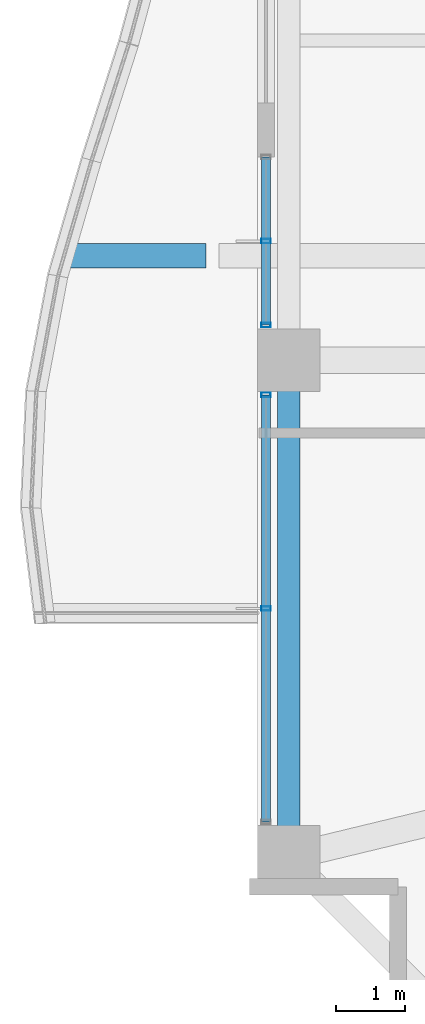
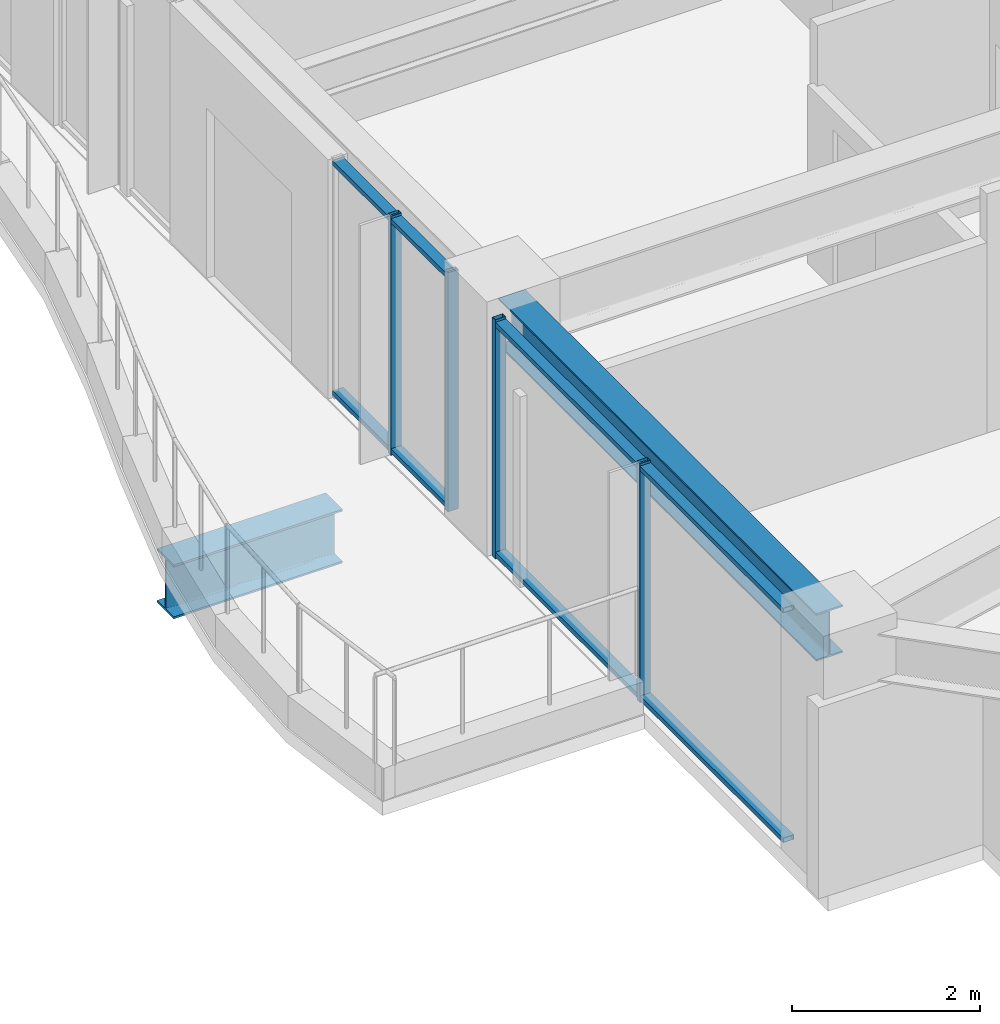
# One storey, part 4 of 33: 8 members, 2 beams, 2 elements without a shape of their own.
"""IFC4 building model written with IfcOpenShell, lengths in metres."""

from ifc_helpers import new_model, si_unit, direction, frame, origin, origin_2d, place, context, subcontext, project, spatial, hollow_rectangle, i_section, extrude, material, material_profile, profile_set, type_object, element, aggregate, save


model = new_model("IFC4")

# Units and contexts
model_context = context("Model", 3, precision=1e-05, world=origin(), true_north=direction((0.0, 1.0)))
body_context = subcontext(model_context, "Body", "Model", "MODEL_VIEW")
ifc_project = project(units=[si_unit("LENGTHUNIT", "METRE"), si_unit("AREAUNIT", "SQUARE_METRE"), si_unit("VOLUMEUNIT", "CUBIC_METRE"), si_unit("PLANEANGLEUNIT", "RADIAN"), si_unit("MASSUNIT", "GRAM", prefix="KILO")], contexts=[model_context])

# Site, building, storey
site_placement = place(None, origin())
site = spatial("IfcSite", under=ifc_project, at=site_placement, CompositionType="ELEMENT")
building_placement = place(site_placement, origin())
building = spatial("IfcBuilding", under=site, at=building_placement, Name="Kolvaren Belvedere", CompositionType="ELEMENT")
storey_placement = place(building_placement, frame((0.0, 0.0, 128.300048828125)))
storey = spatial("IfcBuildingStorey", under=building, at=storey_placement, Name="L37", CompositionType="ELEMENT", Elevation=128.300048828125)

# Beams
ifc_material_1 = material(Name="Structural steel ASTM A992 Grade 50", Category="steel")
ifc_material_profile_1 = material_profile(ifc_material_1, i_section(OverallWidth=0.35498046875, OverallDepth=0.696044921875, WebThickness=0.015380859375, FlangeThickness=0.02490234375, FilletRadius=0.02197265625, at=origin_2d()), Name="W27X146")
ifc_profile_set_1 = profile_set([ifc_material_profile_1], Name="Structural steel ASTM A992 Grade 50")
beam_type_1 = type_object("IfcBeamType", Name="BM-CANT-BAL", PredefinedType="BEAM", material=ifc_profile_set_1)
beam_1_placement = place(storey_placement, frame((-18.7451171875, -3.10009765625, -0.548095703125), z_axis=(-1.0, 0.0, 0.0), x_axis=(0.0, -1.0, 0.0)))
element("IfcBeam", 1, at=beam_1_placement, inside=storey, type_object=beam_type_1, Name="L37 Planted Balcony Cantilever BAL-W-1", PredefinedType="BEAM", context=body_context, shape_type="SweptSolid", body=[
    extrude(i_section(OverallWidth=0.35498046875, OverallDepth=0.696044921875, WebThickness=0.015380859375, FlangeThickness=0.02490234375, FilletRadius=0.02197265625, at=origin_2d()), origin(), (0.0, 0.0, 1.0), 2.068115234375),
])
ifc_material_2 = material(Name="Structural steel ASTM A992 Grade 50", Category="steel")
ifc_material_profile_2 = material_profile(ifc_material_2, i_section(OverallWidth=0.324951171875, OverallDepth=0.615966796875, WebThickness=0.013916015625, FlangeThickness=0.021484375, FilletRadius=0.02001953125, at=origin_2d()), Name="W24X117")
ifc_profile_set_2 = profile_set([ifc_material_profile_2], Name="Structural steel ASTM A992 Grade 50")
beam_type_2 = type_object("IfcBeamType", Name="BM-SPAN-W24X117", PredefinedType="SPANDREL", material=ifc_profile_set_2)
beam_2_placement = place(storey_placement, frame((-17.550048828125, -4.802490234375, 2.7919921875), z_axis=(0.0, -1.0, 0.0), x_axis=(1.0, 0.0, 0.0)))
element("IfcBeam", 2, at=beam_2_placement, inside=storey, type_object=beam_type_2, Name="L37 Perimeter Spandrel W2-W1", PredefinedType="SPANDREL", context=body_context, shape_type="SweptSolid", body=[
    extrude(i_section(OverallWidth=0.324951171875, OverallDepth=0.615966796875, WebThickness=0.013916015625, FlangeThickness=0.021484375, FilletRadius=0.02001953125, at=origin_2d()), origin(), (0.0, 0.0, 1.0), 6.7451171875),
])

# Curtain wall, members
ifc_material_3 = material(Name="Anodised pale-metal aluminium AA 6063-T6", Category="aluminium")
curtain_wall_type = type_object("IfcCurtainWallType", Name="CW-Z3-WAIST", PredefinedType="NOTDEFINED", material=ifc_material_3)
curtain_wall_1_placement = place(storey_placement, origin())
curtain_wall_1 = element("IfcCurtainWall", 3, at=curtain_wall_1_placement, inside=storey, type_object=curtain_wall_type, Name="L37 Unitised Curtain Wall FCW-L37-W1-B1", PredefinedType="NOTDEFINED")
ifc_material_4 = material(Name="Anodised pale-metal aluminium AA 6063-T6", Category="aluminium")
ifc_material_profile_3 = material_profile(ifc_material_4, hollow_rectangle(XDim=0.06494140625, YDim=0.1298828125, WallThickness=0.00390625, at=origin_2d()), Name="ALU-MUL-130X65")
ifc_profile_set_3 = profile_set([ifc_material_profile_3], Name="Anodised pale-metal aluminium AA 6063-T6")
member_type_1 = type_object("IfcMemberType", Name="CW-MUL-130", PredefinedType="MULLION", material=ifc_profile_set_3)
member_1_placement = place(storey_placement, frame((-17.8798828125, -8.175048828125, 0.0), z_axis=(0.0, 0.0, 1.0), x_axis=(0.0, 1.0, 0.0)))
member_1 = element("IfcMember", 4, at=member_1_placement, type_object=member_type_1, Name="FCW-L37-W1-B1 Unitised Mullion 2", PredefinedType="MULLION", context=body_context, shape_type="SweptSolid", body=[
    extrude(hollow_rectangle(XDim=0.06494140625, YDim=0.1298828125, WallThickness=0.00390625, at=origin_2d()), origin(), (0.0, 0.0, 1.0), 3.099853515625),
])
member_2_placement = place(storey_placement, frame((-17.8798828125, -5.1025390625, 0.0), z_axis=(0.0, 0.0, 1.0), x_axis=(0.0, 1.0, 0.0)))
member_2 = element("IfcMember", 5, at=member_2_placement, type_object=member_type_1, Name="FCW-L37-W1-B1 Unitised Mullion 3", PredefinedType="MULLION", context=body_context, shape_type="SweptSolid", body=[
    extrude(hollow_rectangle(XDim=0.06494140625, YDim=0.1298828125, WallThickness=0.00390625, at=origin_2d()), origin(), (0.0, 0.0, 1.0), 3.099853515625),
])

curtain_wall_2_placement = place(storey_placement, origin())
curtain_wall_2 = element("IfcCurtainWall", 6, at=curtain_wall_2_placement, inside=storey, type_object=curtain_wall_type, Name="L37 Unitised Curtain Wall FCW-L37-W1-B2", PredefinedType="NOTDEFINED")
member_3_placement = place(storey_placement, frame((-17.8798828125, -4.097412109375, 0.0), z_axis=(0.0, 0.0, 1.0), x_axis=(0.0, 1.0, 0.0)))
member_3 = element("IfcMember", 7, at=member_3_placement, type_object=member_type_1, Name="FCW-L37-W1-B2 Unitised Mullion 1", PredefinedType="MULLION", context=body_context, shape_type="SweptSolid", body=[
    extrude(hollow_rectangle(XDim=0.06494140625, YDim=0.1298828125, WallThickness=0.00390625, at=origin_2d()), origin(), (0.0, 0.0, 1.0), 3.099853515625),
])
member_4_placement = place(storey_placement, frame((-17.8798828125, -2.888671875, 0.0), z_axis=(0.0, 0.0, 1.0), x_axis=(0.0, 1.0, 0.0)))
member_4 = element("IfcMember", 8, at=member_4_placement, type_object=member_type_1, Name="FCW-L37-W1-B2 Unitised Mullion 2", PredefinedType="MULLION", context=body_context, shape_type="SweptSolid", body=[
    extrude(hollow_rectangle(XDim=0.06494140625, YDim=0.1298828125, WallThickness=0.00390625, at=origin_2d()), origin(), (0.0, 0.0, 1.0), 3.099853515625),
])

# Member
ifc_material_5 = material(Name="Anodised pale-metal aluminium AA 6063-T6", Category="aluminium")
ifc_material_profile_4 = material_profile(ifc_material_5, hollow_rectangle(XDim=0.06005859375, YDim=0.1298828125, WallThickness=0.00390625, at=origin_2d()), Name="ALU-TRN-130X60")
ifc_profile_set_4 = profile_set([ifc_material_profile_4], Name="Anodised pale-metal aluminium AA 6063-T6")
member_type_2 = type_object("IfcMemberType", Name="CW-TRN-130", PredefinedType="USERDEFINED", material=ifc_profile_set_4)
member_5_placement = place(storey_placement, frame((-17.8798828125, -11.24755859375, 0.06005859375), z_axis=(0.0, 1.0, 0.0), x_axis=(0.0, 0.0, 1.0)))
member_5 = element("IfcMember", 9, at=member_5_placement, type_object=member_type_2, Name="FCW-L37-W1-B1 Sill Transom", ObjectType="TRANSOM", PredefinedType="USERDEFINED", context=body_context, shape_type="SweptSolid", body=[
    extrude(hollow_rectangle(XDim=0.06005859375, YDim=0.1298828125, WallThickness=0.00390625, at=origin_2d()), origin(), (0.0, 0.0, 1.0), 6.14501953125),
])

member_6_placement = place(storey_placement, frame((-17.8798828125, -11.24755859375, 3.0400390625), z_axis=(0.0, 1.0, 0.0), x_axis=(0.0, 0.0, 1.0)))
member_6 = element("IfcMember", 10, at=member_6_placement, type_object=member_type_2, Name="FCW-L37-W1-B1 Head Transom", ObjectType="TRANSOM", PredefinedType="USERDEFINED", context=body_context, shape_type="SweptSolid", body=[
    extrude(hollow_rectangle(XDim=0.06005859375, YDim=0.1298828125, WallThickness=0.00390625, at=origin_2d()), origin(), (0.0, 0.0, 1.0), 6.14501953125),
])

aggregate(curtain_wall_1, [member_1, member_2, member_5, member_6])

member_7_placement = place(storey_placement, frame((-17.8798828125, -4.097412109375, 0.06005859375), z_axis=(0.0, 1.0, 0.0), x_axis=(0.0, 0.0, 1.0)))
member_7 = element("IfcMember", 11, at=member_7_placement, type_object=member_type_2, Name="FCW-L37-W1-B2 Sill Transom", ObjectType="TRANSOM", PredefinedType="USERDEFINED", context=body_context, shape_type="SweptSolid", body=[
    extrude(hollow_rectangle(XDim=0.06005859375, YDim=0.1298828125, WallThickness=0.00390625, at=origin_2d()), origin(), (0.0, 0.0, 1.0), 2.41748046875),
])

member_8_placement = place(storey_placement, frame((-17.8798828125, -4.097412109375, 3.0400390625), z_axis=(0.0, 1.0, 0.0), x_axis=(0.0, 0.0, 1.0)))
member_8 = element("IfcMember", 12, at=member_8_placement, type_object=member_type_2, Name="FCW-L37-W1-B2 Head Transom", ObjectType="TRANSOM", PredefinedType="USERDEFINED", context=body_context, shape_type="SweptSolid", body=[
    extrude(hollow_rectangle(XDim=0.06005859375, YDim=0.1298828125, WallThickness=0.00390625, at=origin_2d()), origin(), (0.0, 0.0, 1.0), 2.41748046875),
])

aggregate(curtain_wall_2, [member_3, member_4, member_7, member_8])

save(model, "model.ifc")
